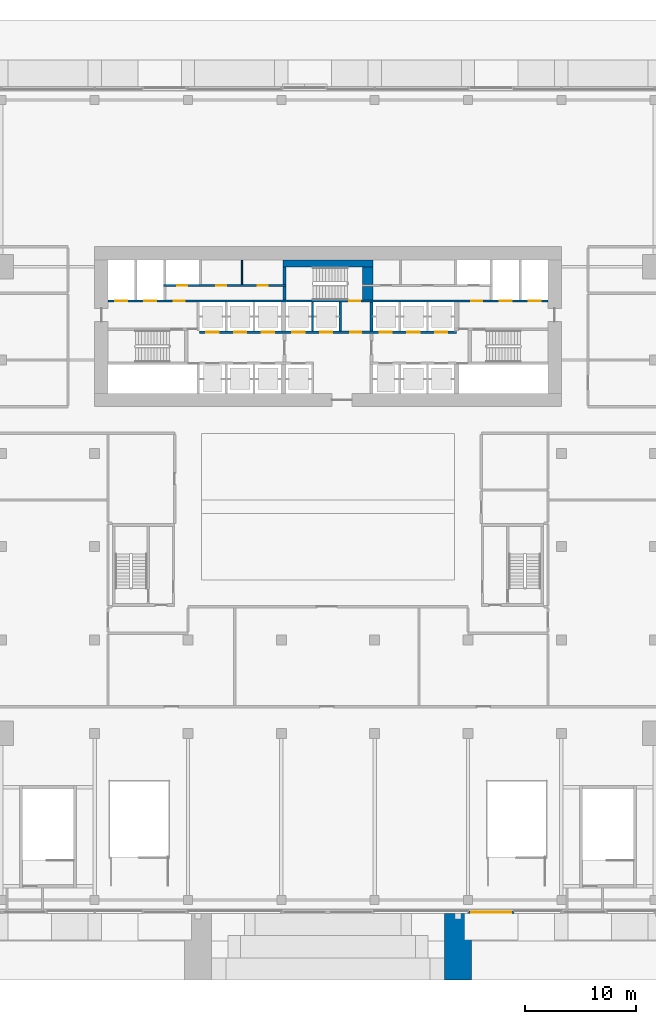
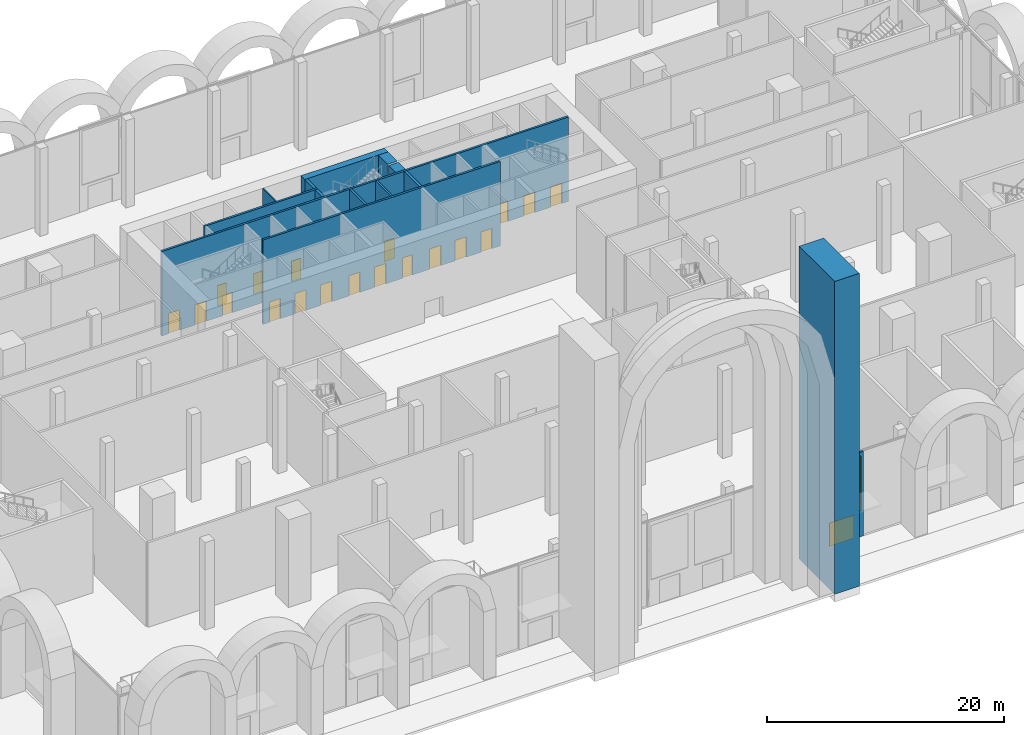
# One storey, part 23 of 43: 20 doors, 14 walls, 1 window, 21 openings.
"""IFC4 building model written with IfcOpenShell, lengths in metres."""

from ifc_helpers import new_model, si_unit, direction, frame, frame_2d, origin, place, context, subcontext, project, spatial, rectangle, extrude, material, layer, layer_set, type_object, element, fill, save


model = new_model("IFC4")

# Units and contexts
model_context = context("Model", 3, precision=1e-05, world=origin(), true_north=direction((0.0, 1.0)))
body_context = subcontext(model_context, "Body", "Model", "MODEL_VIEW")
ifc_project = project(units=[si_unit("LENGTHUNIT", "METRE"), si_unit("AREAUNIT", "SQUARE_METRE"), si_unit("VOLUMEUNIT", "CUBIC_METRE"), si_unit("PLANEANGLEUNIT", "RADIAN"), si_unit("MASSUNIT", "GRAM", prefix="KILO")], contexts=[model_context])

# Site, building, storey
site_placement = place(None, origin())
site = spatial("IfcSite", under=ifc_project, at=site_placement, CompositionType="ELEMENT")
building_placement = place(site_placement, origin())
building = spatial("IfcBuilding", under=site, at=building_placement, Name="Saffron Gate Tower", CompositionType="ELEMENT")
storey_placement = place(building_placement, origin())
storey = spatial("IfcBuildingStorey", under=building, at=storey_placement, Name="L00", CompositionType="ELEMENT", Elevation=0.0)

# Walls
ifc_material_1 = material(Name="Concrete C70", Category="concrete")
ifc_layer_1 = layer(ifc_material_1, 0.25)
ifc_layer_set_1 = layer_set([ifc_layer_1], Name="CW2 RC core wall 250 C70")
wall_type_1 = type_object("IfcWallType", Name="CW2 RC core wall 250 C70", PredefinedType="SOLIDWALL", material=ifc_layer_set_1)
wall_1_placement = place(storey_placement, frame((91.52490234375, 68.0, 0.0), z_axis=(0.0, 0.0, 1.0), x_axis=(0.0, 1.0, 0.0)))
element("IfcWall", 1, at=wall_1_placement, inside=storey, type_object=wall_type_1, Name="Wall CW2-L00-26", PredefinedType="SOLIDWALL", context=body_context, shape_type="SweptSolid", body=[
    extrude(rectangle(XDim=2.60009765625, YDim=0.25, at=frame_2d((1.300048828125, 0.0))), origin(), (0.0, 0.0, 1.0), 8.699951171875),
])
wall_2_placement = place(storey_placement, frame((83.675048828125, 70.800048828125, 0.0), z_axis=(0.0, 0.0, 1.0), x_axis=(0.0, 1.0, 0.0)))
element("IfcWall", 2, at=wall_2_placement, inside=storey, type_object=wall_type_1, Name="Wall CW2-L00-37", PredefinedType="SOLIDWALL", context=body_context, shape_type="SweptSolid", body=[
    extrude(rectangle(XDim=1.199951171875, YDim=0.25, at=frame_2d((0.60009765625, 0.0))), origin(), (0.0, 0.0, 1.0), 8.699951171875),
])
wall_3_placement = place(storey_placement, frame((83.675048828125, 72.199951171875, 0.0), z_axis=(0.0, 0.0, 1.0), x_axis=(0.0, 1.0, 0.0)))
element("IfcWall", 3, at=wall_3_placement, inside=storey, type_object=wall_type_1, Name="Wall CW2-L00-46", PredefinedType="SOLIDWALL", context=body_context, shape_type="SweptSolid", body=[
    extrude(rectangle(XDim=1.550048828125, YDim=0.25, at=frame_2d((0.77490234375, 0.0))), origin(), (0.0, 0.0, 1.0), 8.699951171875),
])

# Wall, openings, doors
ifc_layer_2 = layer(ifc_material_1, 0.199951171875)
ifc_layer_set_2 = layer_set([ifc_layer_2], Name="CW3 RC core wall 200 C70")
wall_type_2 = type_object("IfcWallType", Name="CW3 RC core wall 200 C70", PredefinedType="SOLIDWALL", material=ifc_layer_set_2)
wall_4_placement = place(storey_placement, frame((76.050048828125, 67.89990234375, 0.0), z_axis=(0.0, 0.0, 1.0), x_axis=(1.0, 0.0, 0.0)))
wall_4 = element("IfcWall", 4, at=wall_4_placement, inside=storey, type_object=wall_type_2, Name="Wall CW3-L00-20", PredefinedType="SOLIDWALL", context=body_context, shape_type="SweptSolid", body=[
    extrude(rectangle(XDim=23.099853515625, YDim=0.199951171875, at=frame_2d((11.5498046875, 0.0))), origin(), (0.0, 0.0, 1.0), 8.699951171875),
])
opening_1_placement = place(wall_4_placement, frame((0.60009765625, 0.0, 0.0)))
opening_1 = element("IfcOpeningElement", 5, at=opening_1_placement, cuts=wall_4, Name="Opening LD-LR4", PredefinedType="OPENING", context=body_context, shape_type="SweptSolid", body=[
    extrude(rectangle(XDim=1.10009765625, YDim=2.10009765625, at=frame_2d((0.550048828125, 1.050048828125))), frame((0.0, 0.10986328125, 0.0), z_axis=(0.0, -1.0, 0.0), x_axis=(1.0, 0.0, 0.0)), (0.0, 0.0, 1.0), 0.219970703125),
])
opening_2_placement = place(wall_4_placement, frame((3.10009765625, 0.0, 0.0)))
opening_2 = element("IfcOpeningElement", 6, at=opening_2_placement, cuts=wall_4, Name="Opening LD-LR5", PredefinedType="OPENING", context=body_context, shape_type="SweptSolid", body=[
    extrude(rectangle(XDim=1.10009765625, YDim=2.10009765625, at=frame_2d((0.550048828125, 1.050048828125))), frame((0.0, 0.10986328125, 0.0), z_axis=(0.0, -1.0, 0.0), x_axis=(1.0, 0.0, 0.0)), (0.0, 0.0, 1.0), 0.219970703125),
])
opening_3_placement = place(wall_4_placement, frame((5.60009765625, 0.0, 0.0)))
opening_3 = element("IfcOpeningElement", 7, at=opening_3_placement, cuts=wall_4, Name="Opening LD-LR6", PredefinedType="OPENING", context=body_context, shape_type="SweptSolid", body=[
    extrude(rectangle(XDim=1.10009765625, YDim=2.10009765625, at=frame_2d((0.550048828125, 1.050048828125))), frame((0.0, 0.10986328125, 0.0), z_axis=(0.0, -1.0, 0.0), x_axis=(1.0, 0.0, 0.0)), (0.0, 0.0, 1.0), 0.219970703125),
])
opening_4_placement = place(wall_4_placement, frame((8.35009765625, 0.0, 0.0)))
opening_4 = element("IfcOpeningElement", 8, at=opening_4_placement, cuts=wall_4, Name="Opening LD-SL1", PredefinedType="OPENING", context=body_context, shape_type="SweptSolid", body=[
    extrude(rectangle(XDim=1.10009765625, YDim=2.10009765625, at=frame_2d((0.550048828125, 1.050048828125))), frame((0.0, 0.10986328125, 0.0), z_axis=(0.0, -1.0, 0.0), x_axis=(1.0, 0.0, 0.0)), (0.0, 0.0, 1.0), 0.219970703125),
])
opening_5_placement = place(wall_4_placement, frame((10.85009765625, 0.0, 0.0)))
opening_5 = element("IfcOpeningElement", 9, at=opening_5_placement, cuts=wall_4, Name="Opening LD-SL2", PredefinedType="OPENING", context=body_context, shape_type="SweptSolid", body=[
    extrude(rectangle(XDim=1.10009765625, YDim=2.10009765625, at=frame_2d((0.550048828125, 1.050048828125))), frame((0.0, 0.10986328125, 0.0), z_axis=(0.0, -1.0, 0.0), x_axis=(1.0, 0.0, 0.0)), (0.0, 0.0, 1.0), 0.219970703125),
])
opening_6_placement = place(wall_4_placement, frame((13.550048828125, 0.0, 0.0)))
opening_6 = element("IfcOpeningElement", 10, at=opening_6_placement, cuts=wall_4, Name="Opening CR-02", PredefinedType="OPENING", context=body_context, shape_type="SweptSolid", body=[
    extrude(rectangle(XDim=1.0, YDim=2.10009765625, at=frame_2d((0.5, 1.050048828125))), frame((0.0, 0.10986328125, 0.0), z_axis=(0.0, -1.0, 0.0), x_axis=(1.0, 0.0, 0.0)), (0.0, 0.0, 1.0), 0.219970703125),
])
opening_7_placement = place(wall_4_placement, frame((16.199951171875, 0.0, 0.0)))
opening_7 = element("IfcOpeningElement", 11, at=opening_7_placement, cuts=wall_4, Name="Opening LD-HR4", PredefinedType="OPENING", context=body_context, shape_type="SweptSolid", body=[
    extrude(rectangle(XDim=1.10009765625, YDim=2.10009765625, at=frame_2d((0.550048828125, 1.050048828125))), frame((0.0, 0.10986328125, 0.0), z_axis=(0.0, -1.0, 0.0), x_axis=(1.0, 0.0, 0.0)), (0.0, 0.0, 1.0), 0.219970703125),
])
opening_8_placement = place(wall_4_placement, frame((18.699951171875, 0.0, 0.0)))
opening_8 = element("IfcOpeningElement", 12, at=opening_8_placement, cuts=wall_4, Name="Opening LD-HR5", PredefinedType="OPENING", context=body_context, shape_type="SweptSolid", body=[
    extrude(rectangle(XDim=1.10009765625, YDim=2.10009765625, at=frame_2d((0.550048828125, 1.050048828125))), frame((0.0, 0.10986328125, 0.0), z_axis=(0.0, -1.0, 0.0), x_axis=(1.0, 0.0, 0.0)), (0.0, 0.0, 1.0), 0.219970703125),
])
opening_9_placement = place(wall_4_placement, frame((21.199951171875, 0.0, 0.0)))
opening_9 = element("IfcOpeningElement", 13, at=opening_9_placement, cuts=wall_4, Name="Opening LD-HR6", PredefinedType="OPENING", context=body_context, shape_type="SweptSolid", body=[
    extrude(rectangle(XDim=1.10009765625, YDim=2.10009765625, at=frame_2d((0.550048828125, 1.050048828125))), frame((0.0, 0.10986328125, 0.0), z_axis=(0.0, -1.0, 0.0), x_axis=(1.0, 0.0, 0.0)), (0.0, 0.0, 1.0), 0.219970703125),
])
ifc_material_2 = material(Name="Steel fire door set", Category="steel")
door_type_1 = type_object("IfcDoorType", Name="CD4 Lobby door 1000x2100 EI 120", OperationType="NOTDEFINED", PredefinedType="DOOR", material=ifc_material_2)
door_1_placement = place(opening_6_placement, origin())
door_1 = element("IfcDoor", 14, at=door_1_placement, inside=storey, type_object=door_type_1, Name="DOOR CR-02", OperationType="SINGLE_SWING_LEFT", OverallHeight=2.10009765625, OverallWidth=1.0, PredefinedType="DOOR", context=body_context, shape_type="SweptSolid", body=[
    extrude(rectangle(XDim=1.0, YDim=2.10009765625, at=frame_2d((0.5, 1.050048828125))), frame((0.0, 0.02490234375, 0.0), z_axis=(0.0, -1.0, 0.0), x_axis=(1.0, 0.0, 0.0)), (0.0, 0.0, 1.0), 0.050048828125),
])
fill(opening_6, door_1)
ifc_material_3 = material(Name="Stainless steel landing door", Category="steel")
door_type_2 = type_object("IfcDoorType", Name="LD Lift landing door 1100x2100 EI 120", OperationType="SLIDING_TO_LEFT", PredefinedType="DOOR", material=ifc_material_3)
door_2_placement = place(opening_1_placement, origin())
door_2 = element("IfcDoor", 15, at=door_2_placement, inside=storey, type_object=door_type_2, Name="LANDING DOOR LD-LR4", OperationType="SLIDING_TO_RIGHT", OverallHeight=2.10009765625, OverallWidth=1.10009765625, PredefinedType="DOOR", context=body_context, shape_type="SweptSolid", body=[
    extrude(rectangle(XDim=1.10009765625, YDim=2.10009765625, at=frame_2d((0.550048828125, 1.050048828125))), frame((0.0, 0.02490234375, 0.0), z_axis=(0.0, -1.0, 0.0), x_axis=(1.0, 0.0, 0.0)), (0.0, 0.0, 1.0), 0.050048828125),
])
fill(opening_1, door_2)
door_3_placement = place(opening_2_placement, origin())
door_3 = element("IfcDoor", 16, at=door_3_placement, inside=storey, type_object=door_type_2, Name="LANDING DOOR LD-LR5", OperationType="SLIDING_TO_RIGHT", OverallHeight=2.10009765625, OverallWidth=1.10009765625, PredefinedType="DOOR", context=body_context, shape_type="SweptSolid", body=[
    extrude(rectangle(XDim=1.10009765625, YDim=2.10009765625, at=frame_2d((0.550048828125, 1.050048828125))), frame((0.0, 0.02490234375, 0.0), z_axis=(0.0, -1.0, 0.0), x_axis=(1.0, 0.0, 0.0)), (0.0, 0.0, 1.0), 0.050048828125),
])
fill(opening_2, door_3)
door_4_placement = place(opening_3_placement, origin())
door_4 = element("IfcDoor", 17, at=door_4_placement, inside=storey, type_object=door_type_2, Name="LANDING DOOR LD-LR6", OperationType="SLIDING_TO_RIGHT", OverallHeight=2.10009765625, OverallWidth=1.10009765625, PredefinedType="DOOR", context=body_context, shape_type="SweptSolid", body=[
    extrude(rectangle(XDim=1.10009765625, YDim=2.10009765625, at=frame_2d((0.550048828125, 1.050048828125))), frame((0.0, 0.02490234375, 0.0), z_axis=(0.0, -1.0, 0.0), x_axis=(1.0, 0.0, 0.0)), (0.0, 0.0, 1.0), 0.050048828125),
])
fill(opening_3, door_4)
door_5_placement = place(opening_4_placement, origin())
door_5 = element("IfcDoor", 18, at=door_5_placement, inside=storey, type_object=door_type_2, Name="LANDING DOOR LD-SL1", OperationType="SLIDING_TO_RIGHT", OverallHeight=2.10009765625, OverallWidth=1.10009765625, PredefinedType="DOOR", context=body_context, shape_type="SweptSolid", body=[
    extrude(rectangle(XDim=1.10009765625, YDim=2.10009765625, at=frame_2d((0.550048828125, 1.050048828125))), frame((0.0, 0.02490234375, 0.0), z_axis=(0.0, -1.0, 0.0), x_axis=(1.0, 0.0, 0.0)), (0.0, 0.0, 1.0), 0.050048828125),
])
fill(opening_4, door_5)
door_6_placement = place(opening_5_placement, origin())
door_6 = element("IfcDoor", 19, at=door_6_placement, inside=storey, type_object=door_type_2, Name="LANDING DOOR LD-SL2", OperationType="SLIDING_TO_RIGHT", OverallHeight=2.10009765625, OverallWidth=1.10009765625, PredefinedType="DOOR", context=body_context, shape_type="SweptSolid", body=[
    extrude(rectangle(XDim=1.10009765625, YDim=2.10009765625, at=frame_2d((0.550048828125, 1.050048828125))), frame((0.0, 0.02490234375, 0.0), z_axis=(0.0, -1.0, 0.0), x_axis=(1.0, 0.0, 0.0)), (0.0, 0.0, 1.0), 0.050048828125),
])
fill(opening_5, door_6)
door_7_placement = place(opening_7_placement, origin())
door_7 = element("IfcDoor", 20, at=door_7_placement, inside=storey, type_object=door_type_2, Name="LANDING DOOR LD-HR4", OperationType="SLIDING_TO_RIGHT", OverallHeight=2.10009765625, OverallWidth=1.10009765625, PredefinedType="DOOR", context=body_context, shape_type="SweptSolid", body=[
    extrude(rectangle(XDim=1.10009765625, YDim=2.10009765625, at=frame_2d((0.550048828125, 1.050048828125))), frame((0.0, 0.02490234375, 0.0), z_axis=(0.0, -1.0, 0.0), x_axis=(1.0, 0.0, 0.0)), (0.0, 0.0, 1.0), 0.050048828125),
])
fill(opening_7, door_7)
door_8_placement = place(opening_8_placement, origin())
door_8 = element("IfcDoor", 21, at=door_8_placement, inside=storey, type_object=door_type_2, Name="LANDING DOOR LD-HR5", OperationType="SLIDING_TO_RIGHT", OverallHeight=2.10009765625, OverallWidth=1.10009765625, PredefinedType="DOOR", context=body_context, shape_type="SweptSolid", body=[
    extrude(rectangle(XDim=1.10009765625, YDim=2.10009765625, at=frame_2d((0.550048828125, 1.050048828125))), frame((0.0, 0.02490234375, 0.0), z_axis=(0.0, -1.0, 0.0), x_axis=(1.0, 0.0, 0.0)), (0.0, 0.0, 1.0), 0.050048828125),
])
fill(opening_8, door_8)
door_9_placement = place(opening_9_placement, origin())
door_9 = element("IfcDoor", 22, at=door_9_placement, inside=storey, type_object=door_type_2, Name="LANDING DOOR LD-HR6", OperationType="SLIDING_TO_RIGHT", OverallHeight=2.10009765625, OverallWidth=1.10009765625, PredefinedType="DOOR", context=body_context, shape_type="SweptSolid", body=[
    extrude(rectangle(XDim=1.10009765625, YDim=2.10009765625, at=frame_2d((0.550048828125, 1.050048828125))), frame((0.0, 0.02490234375, 0.0), z_axis=(0.0, -1.0, 0.0), x_axis=(1.0, 0.0, 0.0)), (0.0, 0.0, 1.0), 0.050048828125),
])
fill(opening_9, door_9)

# Walls
for number, where, z_axis, x_axis, name in (
    (23, (86.199951171875, 68.0, 0.0), (0.0, 0.0, 1.0), (0.0, 1.0, 0.0), "Wall CW3-L00-24"),
    (24, (88.699951171875, 68.0, 0.0), (0.0, 0.0, 1.0), (0.0, 1.0, 0.0), "Wall CW3-L00-25"),
):
    element("IfcWall", number, at=place(storey_placement, frame(where, z_axis=z_axis, x_axis=x_axis)), inside=storey, type_object=wall_type_2, Name=name, PredefinedType="SOLIDWALL", context=body_context, shape_type="SweptSolid", body=[
        extrude(rectangle(XDim=2.60009765625, YDim=0.199951171875, at=frame_2d((1.300048828125, 0.0))), origin(), (0.0, 0.0, 1.0), 8.699951171875),
    ])

# Wall, openings, doors
wall_5_placement = place(storey_placement, frame((67.800048828125, 70.699951171875, 0.0), z_axis=(0.0, 0.0, 1.0), x_axis=(1.0, 0.0, 0.0)))
wall_5 = element("IfcWall", 25, at=wall_5_placement, inside=storey, type_object=wall_type_2, Name="Wall CW3-L00-34", PredefinedType="SOLIDWALL", context=body_context, shape_type="SweptSolid", body=[
    extrude(rectangle(XDim=39.599853515625, YDim=0.199951171875, at=frame_2d((19.7998046875, 0.0))), origin(), (0.0, 0.0, 1.0), 8.699951171875),
])
opening_10_placement = place(wall_5_placement, frame((0.64990234375, 0.0, 0.0)))
opening_10 = element("IfcOpeningElement", 26, at=opening_10_placement, cuts=wall_5, Name="Opening LD-FF1", PredefinedType="OPENING", context=body_context, shape_type="SweptSolid", body=[
    extrude(rectangle(XDim=1.10009765625, YDim=2.10009765625, at=frame_2d((0.550048828125, 1.050048828125))), frame((0.0, 0.10986328125, 0.0), z_axis=(0.0, -1.0, 0.0), x_axis=(1.0, 0.0, 0.0)), (0.0, 0.0, 1.0), 0.219970703125),
])
opening_11_placement = place(wall_5_placement, frame((3.25, 0.0, 0.0)))
opening_11 = element("IfcOpeningElement", 27, at=opening_11_placement, cuts=wall_5, Name="Opening LD-SV1", PredefinedType="OPENING", context=body_context, shape_type="SweptSolid", body=[
    extrude(rectangle(XDim=1.10009765625, YDim=2.10009765625, at=frame_2d((0.550048828125, 1.050048828125))), frame((0.0, 0.10986328125, 0.0), z_axis=(0.0, -1.0, 0.0), x_axis=(1.0, 0.0, 0.0)), (0.0, 0.0, 1.0), 0.219970703125),
])
opening_12_placement = place(wall_5_placement, frame((5.89990234375, 0.0, 0.0)))
opening_12 = element("IfcOpeningElement", 28, at=opening_12_placement, cuts=wall_5, Name="Opening CR-03", PredefinedType="OPENING", context=body_context, shape_type="SweptSolid", body=[
    extrude(rectangle(XDim=1.0, YDim=2.10009765625, at=frame_2d((0.5, 1.050048828125))), frame((0.0, 0.10986328125, 0.0), z_axis=(0.0, -1.0, 0.0), x_axis=(1.0, 0.0, 0.0)), (0.0, 0.0, 1.0), 0.219970703125),
])
opening_13_placement = place(wall_5_placement, frame((21.699951171875, 0.0, 0.0)))
opening_13 = element("IfcOpeningElement", 29, at=opening_13_placement, cuts=wall_5, Name="Opening CR-17", PredefinedType="OPENING", context=body_context, shape_type="SweptSolid", body=[
    extrude(rectangle(XDim=1.0, YDim=2.10009765625, at=frame_2d((0.5, 1.050048828125))), frame((0.0, 0.10986328125, 0.0), z_axis=(0.0, -1.0, 0.0), x_axis=(1.0, 0.0, 0.0)), (0.0, 0.0, 1.0), 0.219970703125),
])
opening_14_placement = place(wall_5_placement, frame((32.699951171875, 0.0, 0.0)))
opening_14 = element("IfcOpeningElement", 30, at=opening_14_placement, cuts=wall_5, Name="Opening CR-04", PredefinedType="OPENING", context=body_context, shape_type="SweptSolid", body=[
    extrude(rectangle(XDim=1.0, YDim=2.10009765625, at=frame_2d((0.5, 1.050048828125))), frame((0.0, 0.10986328125, 0.0), z_axis=(0.0, -1.0, 0.0), x_axis=(1.0, 0.0, 0.0)), (0.0, 0.0, 1.0), 0.219970703125),
])
opening_15_placement = place(wall_5_placement, frame((35.25, 0.0, 0.0)))
opening_15 = element("IfcOpeningElement", 31, at=opening_15_placement, cuts=wall_5, Name="Opening LD-SV2", PredefinedType="OPENING", context=body_context, shape_type="SweptSolid", body=[
    extrude(rectangle(XDim=1.10009765625, YDim=2.10009765625, at=frame_2d((0.550048828125, 1.050048828125))), frame((0.0, 0.10986328125, 0.0), z_axis=(0.0, -1.0, 0.0), x_axis=(1.0, 0.0, 0.0)), (0.0, 0.0, 1.0), 0.219970703125),
])
opening_16_placement = place(wall_5_placement, frame((37.85009765625, 0.0, 0.0)))
opening_16 = element("IfcOpeningElement", 32, at=opening_16_placement, cuts=wall_5, Name="Opening LD-FF2", PredefinedType="OPENING", context=body_context, shape_type="SweptSolid", body=[
    extrude(rectangle(XDim=1.10009765625, YDim=2.10009765625, at=frame_2d((0.550048828125, 1.050048828125))), frame((0.0, 0.10986328125, 0.0), z_axis=(0.0, -1.0, 0.0), x_axis=(1.0, 0.0, 0.0)), (0.0, 0.0, 1.0), 0.219970703125),
])
door_10_placement = place(opening_12_placement, origin())
door_10 = element("IfcDoor", 33, at=door_10_placement, inside=storey, type_object=door_type_1, Name="DOOR CR-03", OperationType="SINGLE_SWING_LEFT", OverallHeight=2.10009765625, OverallWidth=1.0, PredefinedType="DOOR", context=body_context, shape_type="SweptSolid", body=[
    extrude(rectangle(XDim=1.0, YDim=2.10009765625, at=frame_2d((0.5, 1.050048828125))), frame((0.0, 0.02490234375, 0.0), z_axis=(0.0, -1.0, 0.0), x_axis=(1.0, 0.0, 0.0)), (0.0, 0.0, 1.0), 0.050048828125),
])
fill(opening_12, door_10)
door_11_placement = place(opening_14_placement, origin())
door_11 = element("IfcDoor", 34, at=door_11_placement, inside=storey, type_object=door_type_1, Name="DOOR CR-04", OperationType="SINGLE_SWING_RIGHT", OverallHeight=2.10009765625, OverallWidth=1.0, PredefinedType="DOOR", context=body_context, shape_type="SweptSolid", body=[
    extrude(rectangle(XDim=1.0, YDim=2.10009765625, at=frame_2d((0.5, 1.050048828125))), frame((0.0, 0.02490234375, 0.0), z_axis=(0.0, -1.0, 0.0), x_axis=(1.0, 0.0, 0.0)), (0.0, 0.0, 1.0), 0.050048828125),
])
fill(opening_14, door_11)
door_type_3 = type_object("IfcDoorType", Name="CD5 Stair door 1000x2100 EI 120", OperationType="NOTDEFINED", PredefinedType="DOOR", material=ifc_material_2)
door_12_placement = place(opening_13_placement, origin())
door_12 = element("IfcDoor", 35, at=door_12_placement, inside=storey, type_object=door_type_3, Name="DOOR CR-17", OperationType="SINGLE_SWING_RIGHT", OverallHeight=2.10009765625, OverallWidth=1.0, PredefinedType="DOOR", context=body_context, shape_type="SweptSolid", body=[
    extrude(rectangle(XDim=1.0, YDim=2.10009765625, at=frame_2d((0.5, 1.050048828125))), frame((0.0, 0.02490234375, 0.0), z_axis=(0.0, -1.0, 0.0), x_axis=(1.0, 0.0, 0.0)), (0.0, 0.0, 1.0), 0.050048828125),
])
fill(opening_13, door_12)
door_13_placement = place(opening_10_placement, origin())
door_13 = element("IfcDoor", 36, at=door_13_placement, inside=storey, type_object=door_type_2, Name="LANDING DOOR LD-FF1", OperationType="SLIDING_TO_RIGHT", OverallHeight=2.10009765625, OverallWidth=1.10009765625, PredefinedType="DOOR", context=body_context, shape_type="SweptSolid", body=[
    extrude(rectangle(XDim=1.10009765625, YDim=2.10009765625, at=frame_2d((0.550048828125, 1.050048828125))), frame((0.0, 0.02490234375, 0.0), z_axis=(0.0, -1.0, 0.0), x_axis=(1.0, 0.0, 0.0)), (0.0, 0.0, 1.0), 0.050048828125),
])
fill(opening_10, door_13)
door_14_placement = place(opening_11_placement, origin())
door_14 = element("IfcDoor", 37, at=door_14_placement, inside=storey, type_object=door_type_2, Name="LANDING DOOR LD-SV1", OperationType="SLIDING_TO_RIGHT", OverallHeight=2.10009765625, OverallWidth=1.10009765625, PredefinedType="DOOR", context=body_context, shape_type="SweptSolid", body=[
    extrude(rectangle(XDim=1.10009765625, YDim=2.10009765625, at=frame_2d((0.550048828125, 1.050048828125))), frame((0.0, 0.02490234375, 0.0), z_axis=(0.0, -1.0, 0.0), x_axis=(1.0, 0.0, 0.0)), (0.0, 0.0, 1.0), 0.050048828125),
])
fill(opening_11, door_14)
door_15_placement = place(opening_15_placement, origin())
door_15 = element("IfcDoor", 38, at=door_15_placement, inside=storey, type_object=door_type_2, Name="LANDING DOOR LD-SV2", OperationType="SLIDING_TO_RIGHT", OverallHeight=2.10009765625, OverallWidth=1.10009765625, PredefinedType="DOOR", context=body_context, shape_type="SweptSolid", body=[
    extrude(rectangle(XDim=1.10009765625, YDim=2.10009765625, at=frame_2d((0.550048828125, 1.050048828125))), frame((0.0, 0.02490234375, 0.0), z_axis=(0.0, -1.0, 0.0), x_axis=(1.0, 0.0, 0.0)), (0.0, 0.0, 1.0), 0.050048828125),
])
fill(opening_15, door_15)
door_16_placement = place(opening_16_placement, origin())
door_16 = element("IfcDoor", 39, at=door_16_placement, inside=storey, type_object=door_type_2, Name="LANDING DOOR LD-FF2", OperationType="SLIDING_TO_RIGHT", OverallHeight=2.10009765625, OverallWidth=1.10009765625, PredefinedType="DOOR", context=body_context, shape_type="SweptSolid", body=[
    extrude(rectangle(XDim=1.10009765625, YDim=2.10009765625, at=frame_2d((0.550048828125, 1.050048828125))), frame((0.0, 0.02490234375, 0.0), z_axis=(0.0, -1.0, 0.0), x_axis=(1.0, 0.0, 0.0)), (0.0, 0.0, 1.0), 0.050048828125),
])
fill(opening_16, door_16)

wall_6_placement = place(storey_placement, frame((72.800048828125, 72.10009765625, 0.0), z_axis=(0.0, 0.0, 1.0), x_axis=(1.0, 0.0, 0.0)))
wall_6 = element("IfcWall", 40, at=wall_6_placement, inside=storey, type_object=wall_type_2, Name="Wall CW3-L00-41", PredefinedType="SOLIDWALL", context=body_context, shape_type="SweptSolid", body=[
    extrude(rectangle(XDim=11.0, YDim=0.199951171875, at=frame_2d((5.5, 0.0))), origin(), (0.0, 0.0, 1.0), 8.699951171875),
])
opening_17_placement = place(wall_6_placement, frame((1.25, 0.0, 0.0)))
opening_17 = element("IfcOpeningElement", 41, at=opening_17_placement, cuts=wall_6, Name="Opening CR-71", PredefinedType="OPENING", context=body_context, shape_type="SweptSolid", body=[
    extrude(rectangle(XDim=0.89990234375, YDim=2.10009765625, at=frame_2d((0.449951171875, 1.050048828125))), frame((0.0, 0.10986328125, 0.0), z_axis=(0.0, -1.0, 0.0), x_axis=(1.0, 0.0, 0.0)), (0.0, 0.0, 1.0), 0.219970703125),
])
opening_18_placement = place(wall_6_placement, frame((4.75, 0.0, 0.0)))
opening_18 = element("IfcOpeningElement", 42, at=opening_18_placement, cuts=wall_6, Name="Opening CR-55", PredefinedType="OPENING", context=body_context, shape_type="SweptSolid", body=[
    extrude(rectangle(XDim=0.89990234375, YDim=2.10009765625, at=frame_2d((0.449951171875, 1.050048828125))), frame((0.0, 0.10986328125, 0.0), z_axis=(0.0, -1.0, 0.0), x_axis=(1.0, 0.0, 0.0)), (0.0, 0.0, 1.0), 0.219970703125),
])
opening_19_placement = place(wall_6_placement, frame((8.485107421875, 0.0, 0.0)))
opening_19 = element("IfcOpeningElement", 43, at=opening_19_placement, cuts=wall_6, Name="Opening CR-58", PredefinedType="OPENING", context=body_context, shape_type="SweptSolid", body=[
    extrude(rectangle(XDim=0.89990234375, YDim=2.10009765625, at=frame_2d((0.449951171875, 1.050048828125))), frame((0.0, 0.10986328125, 0.0), z_axis=(0.0, -1.0, 0.0), x_axis=(1.0, 0.0, 0.0)), (0.0, 0.0, 1.0), 0.219970703125),
])
door_type_4 = type_object("IfcDoorType", Name="CD2 Riser door 900x2100 EI 60", OperationType="NOTDEFINED", PredefinedType="DOOR", material=ifc_material_2)
door_17_placement = place(opening_17_placement, origin())
door_17 = element("IfcDoor", 44, at=door_17_placement, inside=storey, type_object=door_type_4, Name="DOOR CR-71", OperationType="SINGLE_SWING_LEFT", OverallHeight=2.10009765625, OverallWidth=0.89990234375, PredefinedType="DOOR", context=body_context, shape_type="SweptSolid", body=[
    extrude(rectangle(XDim=0.89990234375, YDim=2.10009765625, at=frame_2d((0.449951171875, 1.050048828125))), frame((0.0, 0.02490234375, 0.0), z_axis=(0.0, -1.0, 0.0), x_axis=(1.0, 0.0, 0.0)), (0.0, 0.0, 1.0), 0.050048828125),
])
fill(opening_17, door_17)
door_type_5 = type_object("IfcDoorType", Name="CD9 Room door 900x2100 EI 60", OperationType="NOTDEFINED", PredefinedType="DOOR", material=ifc_material_2)
door_18_placement = place(opening_18_placement, origin())
door_18 = element("IfcDoor", 45, at=door_18_placement, inside=storey, type_object=door_type_5, Name="DOOR CR-55", OperationType="SINGLE_SWING_LEFT", OverallHeight=2.10009765625, OverallWidth=0.89990234375, PredefinedType="DOOR", context=body_context, shape_type="SweptSolid", body=[
    extrude(rectangle(XDim=0.89990234375, YDim=2.10009765625, at=frame_2d((0.449951171875, 1.050048828125))), frame((0.0, 0.02490234375, 0.0), z_axis=(0.0, -1.0, 0.0), x_axis=(1.0, 0.0, 0.0)), (0.0, 0.0, 1.0), 0.050048828125),
])
fill(opening_18, door_18)
door_19_placement = place(opening_19_placement, origin())
door_19 = element("IfcDoor", 46, at=door_19_placement, inside=storey, type_object=door_type_5, Name="DOOR CR-58", OperationType="SINGLE_SWING_LEFT", OverallHeight=2.10009765625, OverallWidth=0.89990234375, PredefinedType="DOOR", context=body_context, shape_type="SweptSolid", body=[
    extrude(rectangle(XDim=0.89990234375, YDim=2.10009765625, at=frame_2d((0.449951171875, 1.050048828125))), frame((0.0, 0.02490234375, 0.0), z_axis=(0.0, -1.0, 0.0), x_axis=(1.0, 0.0, 0.0)), (0.0, 0.0, 1.0), 0.050048828125),
])
fill(opening_19, door_19)

# Walls
ifc_layer_3 = layer(ifc_material_1, 0.949951171875)
ifc_layer_set_3 = layer_set([ifc_layer_3], Name="CW7 RC core wall 950 C70")
wall_type_3 = type_object("IfcWallType", Name="CW7 RC core wall 950 C70", PredefinedType="SOLIDWALL", material=ifc_layer_set_3)
wall_7_placement = place(storey_placement, frame((91.175048828125, 70.800048828125, 0.0), z_axis=(0.0, 0.0, 1.0), x_axis=(0.0, 1.0, 0.0)))
element("IfcWall", 47, at=wall_7_placement, inside=storey, type_object=wall_type_3, Name="Wall CW7-L00-38", PredefinedType="SOLIDWALL", context=body_context, shape_type="SweptSolid", body=[
    extrude(rectangle(XDim=1.199951171875, YDim=0.949951171875, at=frame_2d((0.60009765625, 0.0))), origin(), (0.0, 0.0, 1.0), 8.699951171875),
])
wall_8_placement = place(storey_placement, frame((91.175048828125, 72.199951171875, 0.0), z_axis=(0.0, 0.0, 1.0), x_axis=(0.0, 1.0, 0.0)))
element("IfcWall", 48, at=wall_8_placement, inside=storey, type_object=wall_type_3, Name="Wall CW7-L00-47", PredefinedType="SOLIDWALL", context=body_context, shape_type="SweptSolid", body=[
    extrude(rectangle(XDim=1.550048828125, YDim=0.949951171875, at=frame_2d((0.77490234375, 0.0))), origin(), (0.0, 0.0, 1.0), 8.699951171875),
])
ifc_material_4 = material(Name="Gypsum board partition on steel studs", Category="steel")
ifc_layer_4 = layer(ifc_material_4, 0.1201171875)
ifc_layer_set_4 = layer_set([ifc_layer_4], Name="CW8 Core partition 120")
wall_type_4 = type_object("IfcWallType", Name="CW8 Core partition 120", PredefinedType="PARTITIONING", material=ifc_layer_set_4)
wall_9_placement = place(storey_placement, frame((79.860107421875, 72.199951171875, 0.0), z_axis=(0.0, 0.0, 1.0), x_axis=(0.0, 1.0, 0.0)))
element("IfcWall", 49, at=wall_9_placement, inside=storey, type_object=wall_type_4, Name="Wall CW8-L00-45", PredefinedType="PARTITIONING", context=body_context, shape_type="SweptSolid", body=[
    extrude(rectangle(XDim=2.199951171875, YDim=0.1201171875, at=frame_2d((1.10009765625, 0.0))), origin(), (0.0, 0.0, 1.0), 8.699951171875),
])
ifc_layer_5 = layer(ifc_material_1, 0.64990234375)
ifc_layer_set_5 = layer_set([ifc_layer_5], Name="CW9 RC core wall 650 C70")
wall_type_5 = type_object("IfcWallType", Name="CW9 RC core wall 650 C70", PredefinedType="SOLIDWALL", material=ifc_layer_set_5)
wall_10_placement = place(storey_placement, frame((83.550048828125, 74.074951171875, 0.0), z_axis=(0.0, 0.0, 1.0), x_axis=(1.0, 0.0, 0.0)))
element("IfcWall", 50, at=wall_10_placement, inside=storey, type_object=wall_type_5, Name="Wall CW9-L00-51", PredefinedType="SOLIDWALL", context=body_context, shape_type="SweptSolid", body=[
    extrude(rectangle(XDim=8.099853515625, YDim=0.64990234375, at=frame_2d((4.0498046875, 0.0))), origin(), (0.0, 0.0, 1.0), 8.699951171875),
])
ifc_material_5 = material(Name="Reinforced concrete C50/60 clad in dark glazed ceramic tile", Category="concrete")
ifc_layer_6 = layer(ifc_material_5, 2.39990234375)
ifc_layer_set_6 = layer_set([ifc_layer_6], Name="IW1 iwan pier")
wall_type_6 = type_object("IfcWallType", Name="IW1 iwan pier", PredefinedType="SOLIDWALL", material=ifc_layer_set_6)
wall_11_placement = place(storey_placement, frame((99.300048828125, 15.60009765625, -0.199951171875), z_axis=(0.0, 0.0, 1.0), x_axis=(0.0, -1.0, 0.0)))
element("IfcWall", 51, at=wall_11_placement, inside=storey, type_object=wall_type_6, Name="IWAN PIER", PredefinedType="SOLIDWALL", context=body_context, shape_type="SweptSolid", body=[
    extrude(rectangle(XDim=6.0, YDim=2.39990234375, at=frame_2d((3.0, 0.0))), origin(), (0.0, 0.0, 1.0), 32.199951171875),
])

# Wall, openings, window, door
ifc_material_6 = material(Name="Reinforced concrete C40/50 clad in bronze panels", Category="concrete")
ifc_layer_7 = layer(ifc_material_6, 0.199951171875)
ifc_layer_set_7 = layer_set([ifc_layer_7], Name="WBAY1 entrance bay wall")
wall_type_7 = type_object("IfcWallType", Name="WBAY1 entrance bay wall", PredefinedType="SOLIDWALL", material=ifc_layer_set_7)
wall_12_placement = place(storey_placement, frame((104.360107421875, 15.699951171875, 0.0), z_axis=(0.0, 0.0, 1.0), x_axis=(-1.0, 0.0, 0.0)))
wall_12 = element("IfcWall", 52, at=wall_12_placement, inside=storey, type_object=wall_type_7, Name="ENTRANCE BAY wall", PredefinedType="SOLIDWALL", context=body_context, shape_type="SweptSolid", body=[
    extrude(rectangle(XDim=4.1201171875, YDim=0.199951171875, at=frame_2d((2.06005859375, 0.0))), origin(), (0.0, 0.0, 1.0), 8.699951171875),
])
opening_20_placement = place(wall_12_placement, frame((0.860107421875, 0.0, 0.0)))
opening_20 = element("IfcOpeningElement", 53, at=opening_20_placement, cuts=wall_12, Name="Opening E11", PredefinedType="OPENING", context=body_context, shape_type="SweptSolid", body=[
    extrude(rectangle(XDim=2.39990234375, YDim=2.39990234375, at=frame_2d((1.199951171875, 1.199951171875))), frame((0.0, 0.10986328125, 0.0), z_axis=(0.0, -1.0, 0.0), x_axis=(1.0, 0.0, 0.0)), (0.0, 0.0, 1.0), 0.219970703125),
])
opening_21_placement = place(wall_12_placement, frame((0.260009765625, 0.0, 2.699951171875)))
opening_21 = element("IfcOpeningElement", 54, at=opening_21_placement, cuts=wall_12, Name="Opening W9", PredefinedType="OPENING", context=body_context, shape_type="SweptSolid", body=[
    extrude(rectangle(XDim=3.60009765625, YDim=5.60009765625, at=frame_2d((1.800048828125, 2.800048828125))), frame((0.0, 0.10986328125, 0.0), z_axis=(0.0, -1.0, 0.0), x_axis=(1.0, 0.0, 0.0)), (0.0, 0.0, 1.0), 0.219970703125),
])
ifc_material_7 = material(Name="Clear low-iron laminated glass in bronze frame", Category="glass")
ifc_layer_8 = layer(ifc_material_7, 0.06005859375)
ifc_layer_set_8 = layer_set([ifc_layer_8], Name="W9 entrance light")
window_type = type_object("IfcWindowType", Name="W9 entrance light", PartitioningType="SINGLE_PANEL", PredefinedType="WINDOW", material=ifc_layer_set_8)
window_placement = place(opening_21_placement, origin())
window = element("IfcWindow", 55, at=window_placement, inside=storey, type_object=window_type, Name="W9 entrance light", OverallHeight=5.60009765625, OverallWidth=3.60009765625, PartitioningType="SINGLE_PANEL", PredefinedType="WINDOW", context=body_context, shape_type="SweptSolid", body=[
    extrude(rectangle(XDim=3.60009765625, YDim=5.60009765625, at=frame_2d((1.800048828125, 2.800048828125))), frame((0.0, 0.030029296875, 0.0), z_axis=(0.0, -1.0, 0.0), x_axis=(1.0, 0.0, 0.0)), (0.0, 0.0, 1.0), 0.06005859375),
])
fill(opening_21, window)
ifc_material_8 = material(Name="Bronze-framed toughened glass", Category="glass")
ifc_layer_9 = layer(ifc_material_8, 0.050048828125)
ifc_layer_set_9 = layer_set([ifc_layer_9], Name="X1 exit double door 2400x2400")
door_type_6 = type_object("IfcDoorType", Name="X1 exit double door 2400x2400", OperationType="DOUBLE_DOOR_SINGLE_SWING", PredefinedType="DOOR", material=ifc_layer_set_9)
door_20_placement = place(opening_20_placement, origin())
door_20 = element("IfcDoor", 56, at=door_20_placement, inside=storey, type_object=door_type_6, Name="EXIT E11", OperationType="DOUBLE_DOOR_SINGLE_SWING", OverallHeight=2.39990234375, OverallWidth=2.39990234375, PredefinedType="DOOR", context=body_context, shape_type="SweptSolid", body=[
    extrude(rectangle(XDim=2.39990234375, YDim=2.39990234375, at=frame_2d((1.199951171875, 1.199951171875))), frame((0.0, 0.02490234375, 0.0), z_axis=(0.0, -1.0, 0.0), x_axis=(1.0, 0.0, 0.0)), (0.0, 0.0, 1.0), 0.050048828125),
])
fill(opening_20, door_20)

save(model, "model.ifc")
